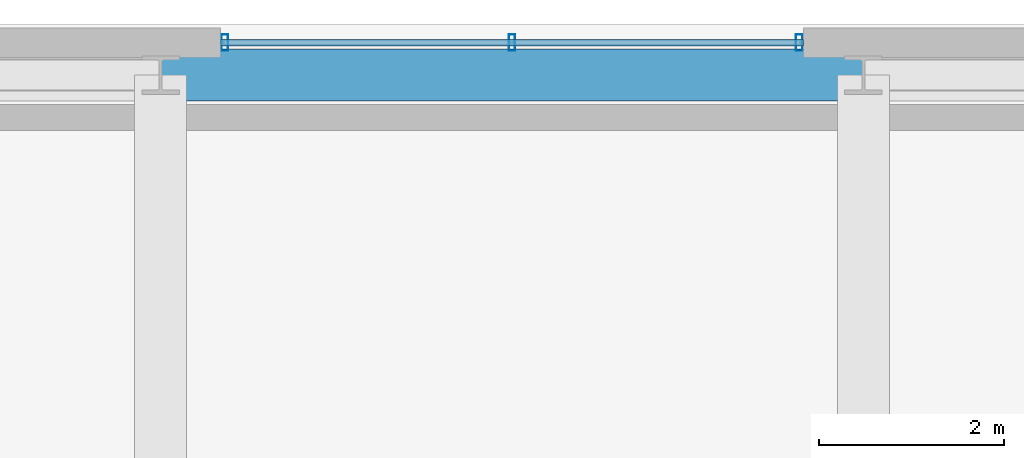
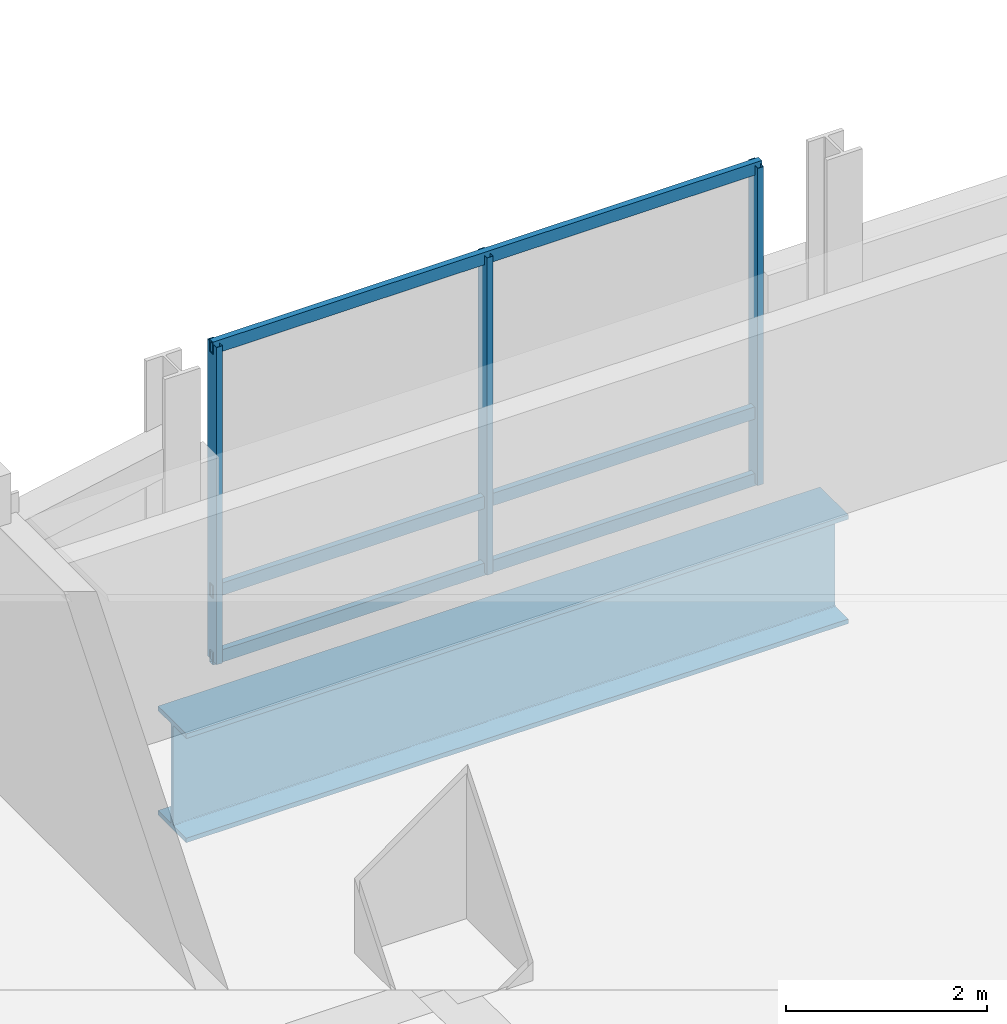
# One storey, part 11 of 30: 6 members, 1 beam, 1 element without a shape of its own.
"""IFC4 building model written with IfcOpenShell, lengths in metres."""

from ifc_helpers import new_model, si_unit, direction, frame, origin, origin_2d, place, context, subcontext, project, spatial, hollow_rectangle, i_section, extrude, material, material_profile, profile_set, type_object, element, aggregate, save


model = new_model("IFC4")

# Units and contexts
model_context = context("Model", 3, precision=1e-05, world=origin(), true_north=direction((0.0, 1.0)))
body_context = subcontext(model_context, "Body", "Model", "MODEL_VIEW")
ifc_project = project(units=[si_unit("LENGTHUNIT", "METRE"), si_unit("AREAUNIT", "SQUARE_METRE"), si_unit("VOLUMEUNIT", "CUBIC_METRE"), si_unit("PLANEANGLEUNIT", "RADIAN"), si_unit("MASSUNIT", "GRAM", prefix="KILO")], contexts=[model_context])

# Site, building, storey
site_placement = place(None, origin())
site = spatial("IfcSite", under=ifc_project, at=site_placement, CompositionType="ELEMENT")
building_placement = place(site_placement, origin())
building = spatial("IfcBuilding", under=site, at=building_placement, Name="Punatoya Terracotta Tower", CompositionType="ELEMENT")
storey_placement = place(building_placement, frame((0.0, 0.0, 251.39990234375)))
storey = spatial("IfcBuildingStorey", under=building, at=storey_placement, Name="L59", CompositionType="ELEMENT", Elevation=251.39990234375)

# Beam
ifc_material_1 = material(Name="Steel S460", Category="steel")
ifc_material_profile_1 = material_profile(ifc_material_1, i_section(OverallWidth=0.56005859375, OverallDepth=1.320068359375, WebThickness=0.035888671875, FlangeThickness=0.054931640625, FilletRadius=0.01806640625, at=origin_2d()))
ifc_profile_set_1 = profile_set([ifc_material_profile_1], Name="Steel S460")
beam_type = type_object("IfcBeamType", Name="BM-TG-BLK", PredefinedType="BEAM", material=ifc_profile_set_1)
beam_placement = place(storey_placement, frame((-3.800048828125, 22.89990234375, -0.93994140625), z_axis=(1.0, 0.0, 0.0), x_axis=(0.0, 1.0, 0.0)))
element("IfcBeam", 1, at=beam_placement, inside=storey, type_object=beam_type, Name="BM-L59-PER-N2", PredefinedType="BEAM", context=body_context, shape_type="SweptSolid", body=[
    extrude(i_section(OverallWidth=0.56005859375, OverallDepth=1.320068359375, WebThickness=0.035888671875, FlangeThickness=0.054931640625, FilletRadius=0.01806640625, at=origin_2d()), origin(), (0.0, 0.0, 1.0), 7.60009765625),
])

# Curtain wall, members
ifc_material_2 = material(Name="Aluminium 6063-T6 + Double Low-E Glass", Category="aluminium")
curtain_wall_type = type_object("IfcCurtainWallType", Name="CW-M3", PredefinedType="NOTDEFINED", material=ifc_material_2)
curtain_wall_placement = place(storey_placement, origin())
curtain_wall = element("IfcCurtainWall", 2, at=curtain_wall_placement, inside=storey, type_object=curtain_wall_type, Name="L59 Curtain Wall CW-L59-N09-1", PredefinedType="NOTDEFINED")
ifc_material_3 = material(Name="Aluminium 6063-T6", Category="aluminium")
ifc_material_profile_2 = material_profile(ifc_material_3, hollow_rectangle(XDim=0.070068359375, YDim=0.179931640625, WallThickness=0.00390625, at=origin_2d()))
ifc_profile_set_2 = profile_set([ifc_material_profile_2], Name="Aluminium 6063-T6")
member_type_1 = type_object("IfcMemberType", Name="CW-MUL-M3", PredefinedType="MULLION", material=ifc_profile_set_2)
member_1_placement = place(storey_placement, frame((3.10498046875, 23.25, 0.0), z_axis=(0.0, 0.0, 1.0), x_axis=(1.0, 0.0, 0.0)))
member_1 = element("IfcMember", 3, at=member_1_placement, type_object=member_type_1, Name="CW-L59-N09-1 Mullion 00", PredefinedType="MULLION", context=body_context, shape_type="SweptSolid", body=[
    extrude(hollow_rectangle(XDim=0.070068359375, YDim=0.179931640625, WallThickness=0.00390625, at=origin_2d()), origin(), (0.0, 0.0, 1.0), 3.85009765625),
])
member_2_placement = place(storey_placement, frame((0.0, 23.25, 0.0), z_axis=(0.0, 0.0, 1.0), x_axis=(1.0, 0.0, 0.0)))
member_2 = element("IfcMember", 4, at=member_2_placement, type_object=member_type_1, Name="CW-L59-N09-1 Mullion 01", PredefinedType="MULLION", context=body_context, shape_type="SweptSolid", body=[
    extrude(hollow_rectangle(XDim=0.070068359375, YDim=0.179931640625, WallThickness=0.00390625, at=origin_2d()), origin(), (0.0, 0.0, 1.0), 3.85009765625),
])
member_3_placement = place(storey_placement, frame((-3.10498046875, 23.25, 0.0), z_axis=(0.0, 0.0, 1.0), x_axis=(1.0, 0.0, 0.0)))
member_3 = element("IfcMember", 5, at=member_3_placement, type_object=member_type_1, Name="CW-L59-N09-1 Mullion 02", PredefinedType="MULLION", context=body_context, shape_type="SweptSolid", body=[
    extrude(hollow_rectangle(XDim=0.070068359375, YDim=0.179931640625, WallThickness=0.00390625, at=origin_2d()), origin(), (0.0, 0.0, 1.0), 3.85009765625),
])
ifc_material_profile_3 = material_profile(ifc_material_3, hollow_rectangle(XDim=0.068115234375, YDim=0.14990234375, WallThickness=0.00390625, at=origin_2d()))
ifc_profile_set_3 = profile_set([ifc_material_profile_3], Name="Aluminium 6063-T6")
member_type_2 = type_object("IfcMemberType", Name="CW-TRN-TYP", PredefinedType="USERDEFINED", material=ifc_profile_set_3)
member_4_placement = place(storey_placement, frame((3.14990234375, 23.25, 0.0400390625), z_axis=(-1.0, 0.0, 0.0), x_axis=(0.0, -1.0, 0.0)))
member_4 = element("IfcMember", 6, at=member_4_placement, type_object=member_type_2, Name="CW-L59-N09-1 Transom 1", ObjectType="TRANSOM", PredefinedType="USERDEFINED", context=body_context, shape_type="SweptSolid", body=[
    extrude(hollow_rectangle(XDim=0.068115234375, YDim=0.14990234375, WallThickness=0.00390625, at=origin_2d()), origin(), (0.0, 0.0, 1.0), 6.2998046875),
])
member_5_placement = place(storey_placement, frame((3.14990234375, 23.25, 0.85009765625), z_axis=(-1.0, 0.0, 0.0), x_axis=(0.0, -1.0, 0.0)))
member_5 = element("IfcMember", 7, at=member_5_placement, type_object=member_type_2, Name="CW-L59-N09-1 Transom 2", ObjectType="TRANSOM", PredefinedType="USERDEFINED", context=body_context, shape_type="SweptSolid", body=[
    extrude(hollow_rectangle(XDim=0.068115234375, YDim=0.14990234375, WallThickness=0.00390625, at=origin_2d()), origin(), (0.0, 0.0, 1.0), 6.2998046875),
])
member_6_placement = place(storey_placement, frame((3.14990234375, 23.25, 3.81005859375), z_axis=(-1.0, 0.0, 0.0), x_axis=(0.0, -1.0, 0.0)))
member_6 = element("IfcMember", 8, at=member_6_placement, type_object=member_type_2, Name="CW-L59-N09-1 Transom 3", ObjectType="TRANSOM", PredefinedType="USERDEFINED", context=body_context, shape_type="SweptSolid", body=[
    extrude(hollow_rectangle(XDim=0.068115234375, YDim=0.14990234375, WallThickness=0.00390625, at=origin_2d()), origin(), (0.0, 0.0, 1.0), 6.2998046875),
])
aggregate(curtain_wall, [member_1, member_2, member_3, member_4, member_5, member_6])

save(model, "model.ifc")
